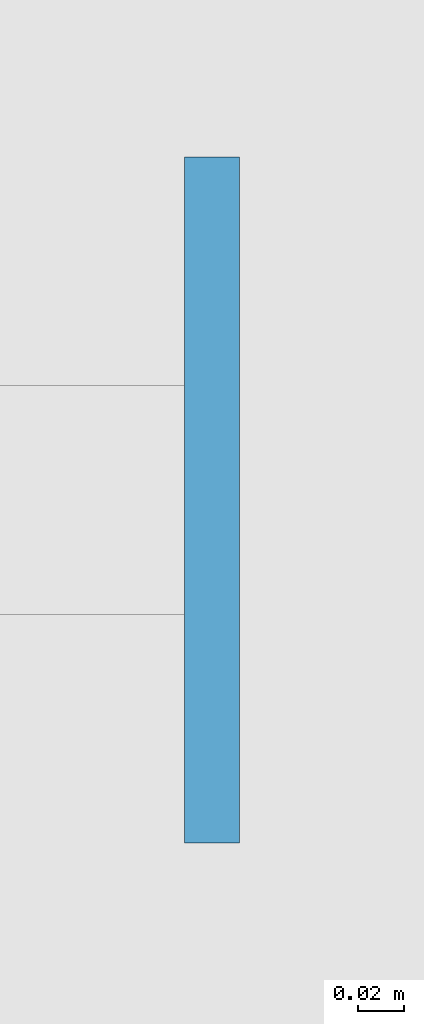
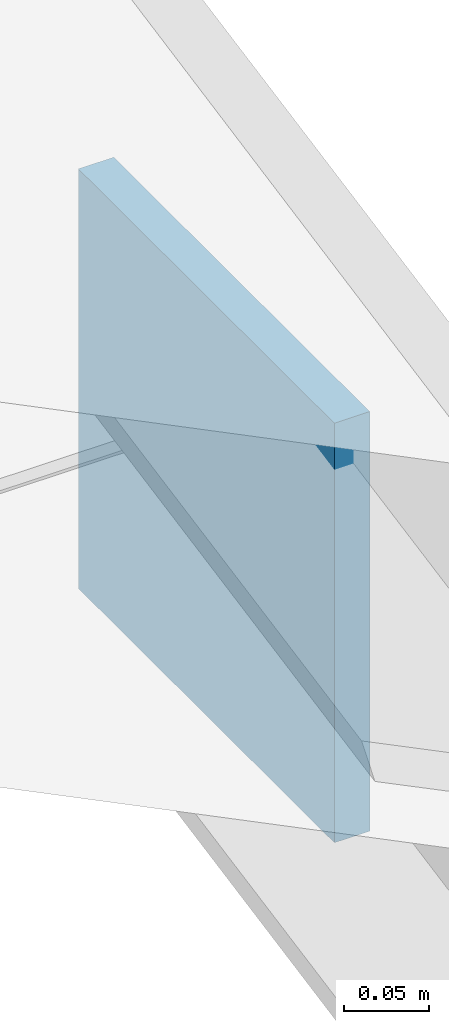
# One storey, part 86 of 110: 1 plate.
"""IFC4 building model written with IfcOpenShell, lengths in metres."""

from ifc_helpers import new_model, si_unit, direction, frame, origin, origin_2d, place, context, subcontext, project, spatial, rectangle, extrude, material, layer, layer_set, type_object, element, save


model = new_model("IFC4")

# Units and contexts
model_context = context("Model", 3, precision=1e-05, world=origin(), true_north=direction((0.0, 1.0)))
body_context = subcontext(model_context, "Body", "Model", "MODEL_VIEW")
ifc_project = project(units=[si_unit("LENGTHUNIT", "METRE"), si_unit("AREAUNIT", "SQUARE_METRE"), si_unit("VOLUMEUNIT", "CUBIC_METRE"), si_unit("PLANEANGLEUNIT", "RADIAN"), si_unit("MASSUNIT", "GRAM", prefix="KILO")], contexts=[model_context])

# Site, building, storey
site_placement = place(None, origin())
site = spatial("IfcSite", under=ifc_project, at=site_placement, CompositionType="ELEMENT")
building_placement = place(site_placement, origin())
building = spatial("IfcBuilding", under=site, at=building_placement, Name="Tamarisk Ironworks Central Station", CompositionType="ELEMENT")
storey_placement = place(building_placement, frame((0.0, 0.0, 17.39990234375)))
storey = spatial("IfcBuildingStorey", under=building, at=storey_placement, Name="L03", CompositionType="ELEMENT", Elevation=17.39990234375)

# Plate
ifc_material = material(Name="Painted structural steel S355J2", Category="steel")
ifc_layer = layer(ifc_material, 0.01611328125)
ifc_layer_set = layer_set([ifc_layer], Name="Painted structural steel S355J2")
plate_type = type_object("IfcPlateType", Name="PL-EC16", PredefinedType="SHEET", material=ifc_layer_set)
plate_placement = place(storey_placement, frame((36.0, 95.39990234375, 0.794921875), z_axis=(0.0, 0.0, 1.0), x_axis=(1.0, 0.0, 0.0)))
element("IfcPlate", 1, at=plate_placement, inside=storey, type_object=plate_type, Name="Hollow section welded end-cap plate 25", PredefinedType="SHEET", context=body_context, shape_type="SweptSolid", body=[
    extrude(rectangle(XDim=0.02392578125, YDim=0.300048828125, at=origin_2d()), origin(), (0.0, 0.0, 1.0), 0.300048828125),
])

save(model, "model.ifc")
